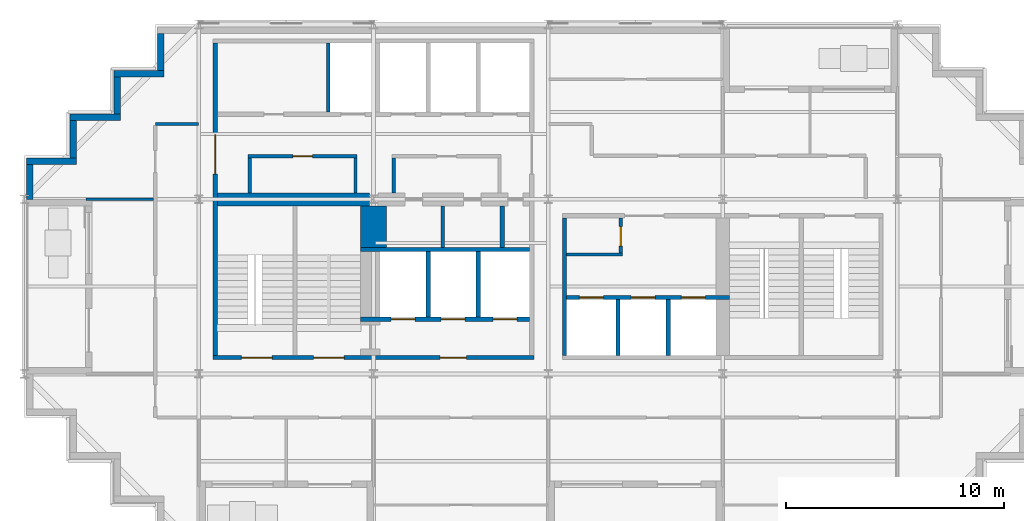
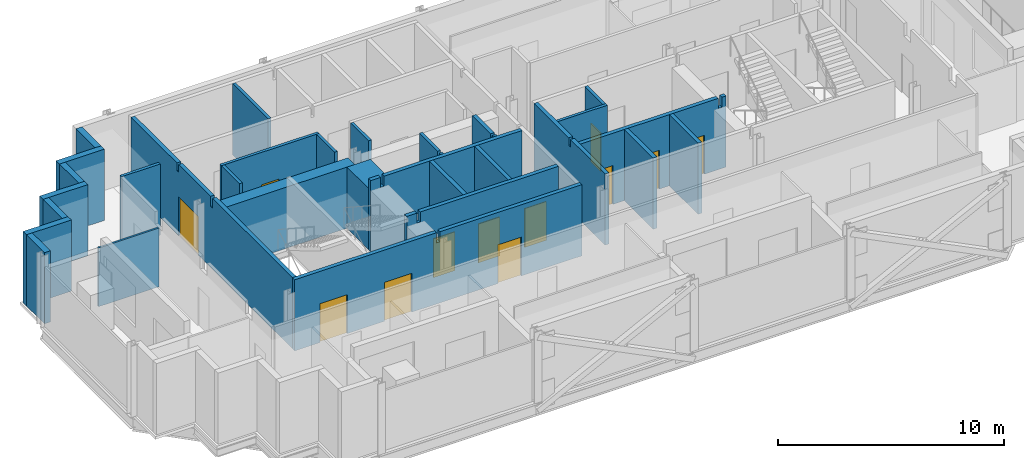
# One storey, part 5 of 10: 30 walls, 12 doors, 12 openings.
"""IFC4 building model written with IfcOpenShell, lengths in metres."""

from ifc_helpers import new_model, si_unit, direction, frame, frame_2d, origin, place, context, subcontext, project, spatial, polyline, rectangle, outline, extrude, material, layer, layer_set, type_object, element, fill, save


model = new_model("IFC4")

# Units and contexts
model_context = context("Model", 3, precision=1e-05, world=origin(), true_north=direction((0.0, 1.0)))
body_context = subcontext(model_context, "Body", "Model", "MODEL_VIEW")
ifc_project = project(units=[si_unit("LENGTHUNIT", "METRE"), si_unit("AREAUNIT", "SQUARE_METRE"), si_unit("VOLUMEUNIT", "CUBIC_METRE"), si_unit("PLANEANGLEUNIT", "RADIAN"), si_unit("MASSUNIT", "GRAM", prefix="KILO")], contexts=[model_context])

# Site, building, storey
site_placement = place(None, origin())
site = spatial("IfcSite", under=ifc_project, at=site_placement, CompositionType="ELEMENT")
building_placement = place(site_placement, origin())
building = spatial("IfcBuilding", under=site, at=building_placement, Name="Immortelle Media Tower", CompositionType="ELEMENT")
storey_placement = place(building_placement, frame((0.0, 0.0, 259.0)))
storey = spatial("IfcBuildingStorey", under=building, at=storey_placement, Name="L56", CompositionType="ELEMENT", Elevation=259.0)

# Wall
ifc_material_1 = material(Name="Fire-rated gypsum board", Category="gypsum")
ifc_layer_1 = layer(ifc_material_1, 0.02490234375)
ifc_material_2 = material(Name="Steel ASTM A653 SS Gr 50 stud frame with mineral wool", Category="steel")
ifc_layer_2 = layer(ifc_material_2, 0.10009765625)
ifc_layer_3 = layer(ifc_material_1, 0.02490234375)
ifc_layer_set_1 = layer_set([ifc_layer_1, ifc_layer_2, ifc_layer_3], Name="Steel ASTM A653 SS Gr 50 stud frame with mineral wool")
wall_type_1 = type_object("IfcWallType", Name="Core partition 150", PredefinedType="PARTITIONING", material=ifc_layer_set_1)
wall_1_placement = place(storey_placement, frame((10.324951171875, 16.300048828125, 0.0), z_axis=(0.0, 0.0, 1.0), x_axis=(0.0, 1.0, 0.0)))
element("IfcWall", 1, at=wall_1_placement, inside=storey, type_object=wall_type_1, Name="Core partition SW", PredefinedType="PARTITIONING", context=body_context, shape_type="SweptSolid", body=[
    extrude(rectangle(XDim=1.599853515625, YDim=0.14990234375, at=frame_2d((0.7998046875, 0.0))), origin(), (0.0, 0.0, 1.0), 3.85009765625),
])

# Wall, opening, door
wall_2_placement = place(storey_placement, frame((10.25, 17.97509765625, 0.0), z_axis=(0.0, 0.0, 1.0), x_axis=(1.0, 0.0, 0.0)))
wall_2 = element("IfcWall", 2, at=wall_2_placement, inside=storey, type_object=wall_type_1, Name="Core partition SW", PredefinedType="PARTITIONING", context=body_context, shape_type="SweptSolid", body=[
    extrude(rectangle(XDim=5.0, YDim=0.14990234375, at=frame_2d((2.5, 0.0))), origin(), (0.0, 0.0, 1.0), 3.85009765625),
])
opening_1_placement = place(wall_2_placement, frame((2.949951171875, 0.0, 0.0), z_axis=(0.0, 0.0, 1.0), x_axis=(-1.0, 0.0, 0.0)))
opening_1 = element("IfcOpeningElement", 3, at=opening_1_placement, cuts=wall_2, Name="Opening X2-K004", PredefinedType="OPENING", context=body_context, shape_type="SweptSolid", body=[
    extrude(rectangle(XDim=0.89990234375, YDim=2.10009765625, at=frame_2d((0.449951171875, 1.050048828125))), frame((0.0, 0.0849609375, 0.0), z_axis=(0.0, -1.0, 0.0), x_axis=(1.0, 0.0, 0.0)), (0.0, 0.0, 1.0), 0.169921875),
])
ifc_material_3 = material(Name="Timber", Category="wood")
door_type_1 = type_object("IfcDoorType", Name="Room door 900 x 2100", OperationType="NOTDEFINED", PredefinedType="NOTDEFINED", material=ifc_material_3)
door_1_placement = place(opening_1_placement, origin())
door_1 = element("IfcDoor", 4, at=door_1_placement, inside=storey, type_object=door_type_1, Name="Room X2-K004", OperationType="SINGLE_SWING_LEFT", OverallHeight=2.10009765625, OverallWidth=0.89990234375, PredefinedType="NOTDEFINED", context=body_context, shape_type="SweptSolid", body=[
    extrude(rectangle(XDim=0.89990234375, YDim=2.10009765625, at=frame_2d((0.449951171875, 1.050048828125))), frame((0.0, 0.02490234375, 0.0), z_axis=(0.0, -1.0, 0.0), x_axis=(1.0, 0.0, 0.0)), (0.0, 0.0, 1.0), 0.050048828125),
])
fill(opening_1, door_1)

# Walls
wall_3_placement = place(storey_placement, frame((13.925048828125, 20.0, 0.0), z_axis=(0.0, 0.0, 1.0), x_axis=(0.0, 1.0, 0.0)))
element("IfcWall", 5, at=wall_3_placement, inside=storey, type_object=wall_type_1, Name="Core partition SW", PredefinedType="PARTITIONING", context=body_context, shape_type="SweptSolid", body=[
    extrude(rectangle(XDim=3.14990234375, YDim=0.14990234375, at=frame_2d((1.574951171875, 0.0))), origin(), (0.0, 0.0, 1.0), 3.85009765625),
])
for number, where, z_axis, x_axis, name in (
    (6, (15.175048828125, 16.300048828125, 0.0), (0.0, 0.0, 1.0), (0.0, 1.0, 0.0), "Core partition SW"),
    (7, (16.925048828125, 16.300048828125, 0.0), (0.0, 0.0, 1.0), (0.0, 1.0, 0.0), "Core partition SW"),
):
    element("IfcWall", number, at=place(storey_placement, frame(where, z_axis=z_axis, x_axis=x_axis)), inside=storey, type_object=wall_type_1, Name=name, PredefinedType="PARTITIONING", context=body_context, shape_type="SweptSolid", body=[
        extrude(rectangle(XDim=1.599853515625, YDim=0.14990234375, at=frame_2d((0.7998046875, 0.0))), origin(), (0.0, 0.0, 1.0), 3.85009765625),
    ])
wall_4_placement = place(storey_placement, frame((19.175048828125, 13.800048828125, 0.0), z_axis=(0.0, 0.0, 1.0), x_axis=(0.0, 1.0, 0.0)))
element("IfcWall", 8, at=wall_4_placement, inside=storey, type_object=wall_type_1, Name="Core partition SW", PredefinedType="PARTITIONING", context=body_context, shape_type="SweptSolid", body=[
    extrude(outline(polyline([(0.0, 0.0), (1.89990234375, 0.0), (1.89990234375, 3.85009765625), (0.27490234375, 3.85009765625), (0.27392578125, 3.43994140625), (0.1259765625, 3.43994140625), (0.125, 3.85009765625), (0.0, 3.85009765625), (0.0, 0.0)])), frame((0.0, 0.074951171875, 0.0), z_axis=(0.0, -1.0, 0.0), x_axis=(1.0, 0.0, 0.0)), (0.0, 0.0, 1.0), 0.14990234375),
])
wall_5_placement = place(storey_placement, frame((24.85009765625, 13.47509765625, 0.0), z_axis=(0.0, 0.0, 1.0), x_axis=(1.0, 0.0, 0.0)))
element("IfcWall", 9, at=wall_5_placement, inside=storey, type_object=wall_type_1, Name="Core partition SE", PredefinedType="PARTITIONING", context=body_context, shape_type="SweptSolid", body=[
    extrude(rectangle(XDim=2.5498046875, YDim=0.14990234375, at=frame_2d((1.27490234375, 0.0))), origin(), (0.0, 0.0, 1.0), 3.85009765625),
])

# Wall, opening, door
wall_6_placement = place(storey_placement, frame((27.324951171875, 13.550048828125, 0.0), z_axis=(0.0, 0.0, 1.0), x_axis=(0.0, 1.0, 0.0)))
wall_6 = element("IfcWall", 10, at=wall_6_placement, inside=storey, type_object=wall_type_1, Name="Core partition SE", PredefinedType="PARTITIONING", context=body_context, shape_type="SweptSolid", body=[
    extrude(rectangle(XDim=1.599853515625, YDim=0.14990234375, at=frame_2d((0.7998046875, 0.0))), origin(), (0.0, 0.0, 1.0), 3.85009765625),
])
opening_2_placement = place(wall_6_placement, frame((0.300048828125, 0.0, 0.0)))
opening_2 = element("IfcOpeningElement", 11, at=opening_2_placement, cuts=wall_6, Name="Opening X2-K021", PredefinedType="OPENING", context=body_context, shape_type="SweptSolid", body=[
    extrude(rectangle(XDim=0.89990234375, YDim=2.10009765625, at=frame_2d((0.449951171875, 1.050048828125))), frame((0.0, 0.0849609375, 0.0), z_axis=(0.0, -1.0, 0.0), x_axis=(1.0, 0.0, 0.0)), (0.0, 0.0, 1.0), 0.169921875),
])
ifc_material_4 = material(Name="Galvanised steel door leaf and frame ASTM A653", Category="steel")
door_type_2 = type_object("IfcDoorType", Name="Service door 900 x 2100", OperationType="NOTDEFINED", PredefinedType="NOTDEFINED", material=ifc_material_4)
door_2_placement = place(opening_2_placement, origin())
door_2 = element("IfcDoor", 12, at=door_2_placement, inside=storey, type_object=door_type_2, Name="Service X2-K021", OperationType="SINGLE_SWING_LEFT", OverallHeight=2.10009765625, OverallWidth=0.89990234375, PredefinedType="NOTDEFINED", context=body_context, shape_type="SweptSolid", body=[
    extrude(rectangle(XDim=0.89990234375, YDim=2.10009765625, at=frame_2d((0.449951171875, 1.050048828125))), frame((0.0, 0.02490234375, 0.0), z_axis=(0.0, -1.0, 0.0), x_axis=(1.0, 0.0, 0.0)), (0.0, 0.0, 1.0), 0.050048828125),
])
fill(opening_2, door_2)

# Wall, openings, doors
ifc_layer_4 = layer(ifc_material_1, 0.03759765625)
ifc_layer_5 = layer(ifc_material_2, 0.125)
ifc_layer_6 = layer(ifc_material_1, 0.03759765625)
ifc_layer_set_2 = layer_set([ifc_layer_4, ifc_layer_5, ifc_layer_6], Name="Steel ASTM A653 SS Gr 50 stud frame with mineral wool")
wall_type_2 = type_object("IfcWallType", Name="Core shaft wall 200", PredefinedType="PARTITIONING", material=ifc_layer_set_2)
wall_7_placement = place(storey_placement, frame((15.39990234375, 10.5, 0.0), z_axis=(0.0, 0.0, 1.0), x_axis=(1.0, 0.0, 0.0)))
wall_7 = element("IfcWall", 13, at=wall_7_placement, inside=storey, type_object=wall_type_2, Name="Core shaft wall SW", PredefinedType="PARTITIONING", context=body_context, shape_type="SweptSolid", body=[
    extrude(outline(polyline([(0.0, 0.0), (7.75, 0.0), (7.75, 3.85009765625), (0.6884765625, 3.85009765625), (0.6875, 3.30810546875), (0.512451171875, 3.30810546875), (0.511474609375, 3.85009765625), (0.0, 3.85009765625), (0.0, 0.0)])), frame((0.0, 0.10009765625, 0.0), z_axis=(0.0, -1.0, 0.0), x_axis=(1.0, 0.0, 0.0)), (0.0, 0.0, 1.0), 0.199951171875),
])
opening_3_placement = place(wall_7_placement, frame((1.39990234375, 0.0, 0.0)))
opening_3 = element("IfcOpeningElement", 14, at=opening_3_placement, cuts=wall_7, Name="Opening LD", PredefinedType="OPENING", context=body_context, shape_type="SweptSolid", body=[
    extrude(rectangle(XDim=1.10009765625, YDim=2.10009765625, at=frame_2d((0.550048828125, 1.050048828125))), frame((0.0, 0.10986328125, 0.0), z_axis=(0.0, -1.0, 0.0), x_axis=(1.0, 0.0, 0.0)), (0.0, 0.0, 1.0), 0.219970703125),
])
opening_4_placement = place(wall_7_placement, frame((3.699951171875, 0.0, 0.0)))
opening_4 = element("IfcOpeningElement", 15, at=opening_4_placement, cuts=wall_7, Name="Opening LD", PredefinedType="OPENING", context=body_context, shape_type="SweptSolid", body=[
    extrude(rectangle(XDim=1.10009765625, YDim=2.10009765625, at=frame_2d((0.550048828125, 1.050048828125))), frame((0.0, 0.10986328125, 0.0), z_axis=(0.0, -1.0, 0.0), x_axis=(1.0, 0.0, 0.0)), (0.0, 0.0, 1.0), 0.219970703125),
])
opening_5_placement = place(wall_7_placement, frame((6.074951171875, 0.0, 0.0)))
opening_5 = element("IfcOpeningElement", 16, at=opening_5_placement, cuts=wall_7, Name="Opening LD", PredefinedType="OPENING", context=body_context, shape_type="SweptSolid", body=[
    extrude(rectangle(XDim=1.10009765625, YDim=2.10009765625, at=frame_2d((0.550048828125, 1.050048828125))), frame((0.0, 0.10986328125, 0.0), z_axis=(0.0, -1.0, 0.0), x_axis=(1.0, 0.0, 0.0)), (0.0, 0.0, 1.0), 0.219970703125),
])
ifc_material_5 = material(Name="Stainless steel AISI 304", Category="steel")
door_type_3 = type_object("IfcDoorType", Name="Landing door 1100 x 2100", OperationType="SLIDING_TO_LEFT", PredefinedType="NOTDEFINED", material=ifc_material_5)
door_3_placement = place(opening_3_placement, origin())
door_3 = element("IfcDoor", 17, at=door_3_placement, inside=storey, type_object=door_type_3, Name="Landing door FF1 L56", OperationType="SLIDING_TO_LEFT", OverallHeight=2.10009765625, OverallWidth=1.10009765625, PredefinedType="NOTDEFINED", context=body_context, shape_type="SweptSolid", body=[
    extrude(rectangle(XDim=1.10009765625, YDim=2.10009765625, at=frame_2d((0.550048828125, 1.050048828125))), frame((0.0, 0.02490234375, 0.0), z_axis=(0.0, -1.0, 0.0), x_axis=(1.0, 0.0, 0.0)), (0.0, 0.0, 1.0), 0.050048828125),
])
fill(opening_3, door_3)
door_4_placement = place(opening_4_placement, origin())
door_4 = element("IfcDoor", 18, at=door_4_placement, inside=storey, type_object=door_type_3, Name="Landing door FF2 L56", OperationType="SLIDING_TO_LEFT", OverallHeight=2.10009765625, OverallWidth=1.10009765625, PredefinedType="NOTDEFINED", context=body_context, shape_type="SweptSolid", body=[
    extrude(rectangle(XDim=1.10009765625, YDim=2.10009765625, at=frame_2d((0.550048828125, 1.050048828125))), frame((0.0, 0.02490234375, 0.0), z_axis=(0.0, -1.0, 0.0), x_axis=(1.0, 0.0, 0.0)), (0.0, 0.0, 1.0), 0.050048828125),
])
fill(opening_4, door_4)
door_5_placement = place(opening_5_placement, origin())
door_5 = element("IfcDoor", 19, at=door_5_placement, inside=storey, type_object=door_type_3, Name="Landing door FF3 L56", OperationType="SLIDING_TO_LEFT", OverallHeight=2.10009765625, OverallWidth=1.10009765625, PredefinedType="NOTDEFINED", context=body_context, shape_type="SweptSolid", body=[
    extrude(rectangle(XDim=1.10009765625, YDim=2.10009765625, at=frame_2d((0.550048828125, 1.050048828125))), frame((0.0, 0.02490234375, 0.0), z_axis=(0.0, -1.0, 0.0), x_axis=(1.0, 0.0, 0.0)), (0.0, 0.0, 1.0), 0.050048828125),
])
fill(opening_5, door_5)

# Walls
wall_8_placement = place(storey_placement, frame((15.39990234375, 13.699951171875, 0.0), z_axis=(0.0, 0.0, 1.0), x_axis=(1.0, 0.0, 0.0)))
element("IfcWall", 20, at=wall_8_placement, inside=storey, type_object=wall_type_2, Name="Core shaft wall SW", PredefinedType="PARTITIONING", context=body_context, shape_type="SweptSolid", body=[
    extrude(outline(polyline([(0.0, 0.0), (7.75, 0.0), (7.75, 3.85009765625), (0.6884765625, 3.85009765625), (0.6875, 3.30810546875), (0.512451171875, 3.30810546875), (0.511474609375, 3.85009765625), (0.0, 3.85009765625), (0.0, 0.0)])), frame((0.0, 0.10009765625, 0.0), z_axis=(0.0, -1.0, 0.0), x_axis=(1.0, 0.0, 0.0)), (0.0, 0.0, 1.0), 0.199951171875),
])
for number, where, z_axis, x_axis, name in (
    (21, (18.5, 10.60009765625, 0.0), (0.0, 0.0, 1.0), (0.0, 1.0, 0.0), "Core shaft wall SW"),
    (22, (20.800048828125, 10.60009765625, 0.0), (0.0, 0.0, 1.0), (0.0, 1.0, 0.0), "Core shaft wall SW"),
):
    element("IfcWall", number, at=place(storey_placement, frame(where, z_axis=z_axis, x_axis=x_axis)), inside=storey, type_object=wall_type_2, Name=name, PredefinedType="PARTITIONING", context=body_context, shape_type="SweptSolid", body=[
        extrude(rectangle(XDim=3.0, YDim=0.199951171875, at=frame_2d((1.5, 0.0))), origin(), (0.0, 0.0, 1.0), 3.85009765625),
    ])
wall_9_placement = place(storey_placement, frame((21.89990234375, 13.800048828125, 0.0), z_axis=(0.0, 0.0, 1.0), x_axis=(0.0, 1.0, 0.0)))
element("IfcWall", 23, at=wall_9_placement, inside=storey, type_object=wall_type_2, Name="Core shaft wall SW", PredefinedType="PARTITIONING", context=body_context, shape_type="SweptSolid", body=[
    extrude(outline(polyline([(0.0, 0.0), (1.89990234375, 0.0), (1.89990234375, 3.85009765625), (0.27490234375, 3.85009765625), (0.27392578125, 3.43994140625), (0.1259765625, 3.43994140625), (0.125, 3.85009765625), (0.0, 3.85009765625), (0.0, 0.0)])), frame((0.0, 0.10009765625, 0.0), z_axis=(0.0, -1.0, 0.0), x_axis=(1.0, 0.0, 0.0)), (0.0, 0.0, 1.0), 0.199951171875),
])
wall_10_placement = place(storey_placement, frame((24.75, 8.85009765625, 0.0), z_axis=(0.0, 0.0, 1.0), x_axis=(0.0, 1.0, 0.0)))
element("IfcWall", 24, at=wall_10_placement, inside=storey, type_object=wall_type_2, Name="Core shaft wall SE", PredefinedType="PARTITIONING", context=body_context, shape_type="SweptSolid", body=[
    extrude(outline(polyline([(0.0, 0.0), (6.2998046875, 0.0), (6.300048828125, 3.85009765625), (3.22509765625, 3.85009765625), (3.22412109375, 3.43994140625), (3.075927734375, 3.43994140625), (3.074951171875, 3.85009765625), (0.0, 3.85009765625), (0.0, 0.0)])), frame((0.0, 0.10009765625, 0.0), z_axis=(0.0, -1.0, 0.0), x_axis=(1.0, 0.0, 0.0)), (0.0, 0.0, 1.0), 0.199951171875),
])

# Wall, openings, doors
wall_11_placement = place(storey_placement, frame((24.85009765625, 11.5, 0.0), z_axis=(0.0, 0.0, 1.0), x_axis=(1.0, 0.0, 0.0)))
wall_11 = element("IfcWall", 25, at=wall_11_placement, inside=storey, type_object=wall_type_2, Name="Core shaft wall SE", PredefinedType="PARTITIONING", context=body_context, shape_type="SweptSolid", body=[
    extrude(outline(polyline([(0.0, 0.0), (7.449951171875, 0.0), (7.449951171875, 3.85009765625), (7.238525390625, 3.85009765625), (7.237548828125, 3.30810546875), (7.0625, 3.30810546875), (7.0615234375, 3.85009765625), (0.0, 3.85009765625), (0.0, 0.0)])), frame((0.0, 0.10009765625, 0.0), z_axis=(0.0, -1.0, 0.0), x_axis=(1.0, 0.0, 0.0)), (0.0, 0.0, 1.0), 0.199951171875),
])
opening_6_placement = place(wall_11_placement, frame((0.574951171875, 0.0, 0.0)))
opening_6 = element("IfcOpeningElement", 26, at=opening_6_placement, cuts=wall_11, Name="Opening LD", PredefinedType="OPENING", context=body_context, shape_type="SweptSolid", body=[
    extrude(rectangle(XDim=1.10009765625, YDim=2.10009765625, at=frame_2d((0.550048828125, 1.050048828125))), frame((0.0, 0.10986328125, 0.0), z_axis=(0.0, -1.0, 0.0), x_axis=(1.0, 0.0, 0.0)), (0.0, 0.0, 1.0), 0.219970703125),
])
opening_7_placement = place(wall_11_placement, frame((2.949951171875, 0.0, 0.0)))
opening_7 = element("IfcOpeningElement", 27, at=opening_7_placement, cuts=wall_11, Name="Opening LD", PredefinedType="OPENING", context=body_context, shape_type="SweptSolid", body=[
    extrude(rectangle(XDim=1.10009765625, YDim=2.10009765625, at=frame_2d((0.550048828125, 1.050048828125))), frame((0.0, 0.10986328125, 0.0), z_axis=(0.0, -1.0, 0.0), x_axis=(1.0, 0.0, 0.0)), (0.0, 0.0, 1.0), 0.219970703125),
])
opening_8_placement = place(wall_11_placement, frame((5.25, 0.0, 0.0)))
opening_8 = element("IfcOpeningElement", 28, at=opening_8_placement, cuts=wall_11, Name="Opening LD", PredefinedType="OPENING", context=body_context, shape_type="SweptSolid", body=[
    extrude(rectangle(XDim=1.10009765625, YDim=2.10009765625, at=frame_2d((0.550048828125, 1.050048828125))), frame((0.0, 0.10986328125, 0.0), z_axis=(0.0, -1.0, 0.0), x_axis=(1.0, 0.0, 0.0)), (0.0, 0.0, 1.0), 0.219970703125),
])
door_6_placement = place(opening_6_placement, origin())
door_6 = element("IfcDoor", 29, at=door_6_placement, inside=storey, type_object=door_type_3, Name="Landing door HS1 L56", OperationType="SLIDING_TO_LEFT", OverallHeight=2.10009765625, OverallWidth=1.10009765625, PredefinedType="NOTDEFINED", context=body_context, shape_type="SweptSolid", body=[
    extrude(rectangle(XDim=1.10009765625, YDim=2.10009765625, at=frame_2d((0.550048828125, 1.050048828125))), frame((0.0, 0.02490234375, 0.0), z_axis=(0.0, -1.0, 0.0), x_axis=(1.0, 0.0, 0.0)), (0.0, 0.0, 1.0), 0.050048828125),
])
fill(opening_6, door_6)
door_7_placement = place(opening_7_placement, origin())
door_7 = element("IfcDoor", 30, at=door_7_placement, inside=storey, type_object=door_type_3, Name="Landing door HS2 L56", OperationType="SLIDING_TO_LEFT", OverallHeight=2.10009765625, OverallWidth=1.10009765625, PredefinedType="NOTDEFINED", context=body_context, shape_type="SweptSolid", body=[
    extrude(rectangle(XDim=1.10009765625, YDim=2.10009765625, at=frame_2d((0.550048828125, 1.050048828125))), frame((0.0, 0.02490234375, 0.0), z_axis=(0.0, -1.0, 0.0), x_axis=(1.0, 0.0, 0.0)), (0.0, 0.0, 1.0), 0.050048828125),
])
fill(opening_7, door_7)
door_8_placement = place(opening_8_placement, origin())
door_8 = element("IfcDoor", 31, at=door_8_placement, inside=storey, type_object=door_type_3, Name="Landing door HS3 L56", OperationType="SLIDING_TO_LEFT", OverallHeight=2.10009765625, OverallWidth=1.10009765625, PredefinedType="NOTDEFINED", context=body_context, shape_type="SweptSolid", body=[
    extrude(rectangle(XDim=1.10009765625, YDim=2.10009765625, at=frame_2d((0.550048828125, 1.050048828125))), frame((0.0, 0.02490234375, 0.0), z_axis=(0.0, -1.0, 0.0), x_axis=(1.0, 0.0, 0.0)), (0.0, 0.0, 1.0), 0.050048828125),
])
fill(opening_8, door_8)

# Walls
for number, where, z_axis, x_axis, name in (
    (32, (27.199951171875, 8.85009765625, 0.0), (0.0, 0.0, 1.0), (0.0, 1.0, 0.0), "Core shaft wall SE"),
    (33, (29.5, 8.85009765625, 0.0), (0.0, 0.0, 1.0), (0.0, 1.0, 0.0), "Core shaft wall SE"),
):
    element("IfcWall", number, at=place(storey_placement, frame(where, z_axis=z_axis, x_axis=x_axis)), inside=storey, type_object=wall_type_2, Name=name, PredefinedType="PARTITIONING", context=body_context, shape_type="SweptSolid", body=[
        extrude(rectangle(XDim=2.5498046875, YDim=0.199951171875, at=frame_2d((1.27490234375, 0.0))), origin(), (0.0, 0.0, 1.0), 3.85009765625),
    ])
ifc_layer_7 = layer(ifc_material_1, 0.012451171875)
ifc_layer_8 = layer(ifc_material_2, 0.125)
ifc_layer_9 = layer(ifc_material_1, 0.012451171875)
ifc_layer_set_3 = layer_set([ifc_layer_7, ifc_layer_8, ifc_layer_9], Name="Steel ASTM A653 SS Gr 50 stud frame with mineral wool")
wall_type_3 = type_object("IfcWallType", Name="Corridor wall 150", PredefinedType="PARTITIONING", material=ifc_layer_set_3)
wall_12_placement = place(storey_placement, frame((6.0, 19.449951171875, 0.0), z_axis=(0.0, 0.0, 1.0), x_axis=(1.0, 0.0, 0.0)))
element("IfcWall", 34, at=wall_12_placement, inside=storey, type_object=wall_type_3, Name="Partition L56-025", PredefinedType="PARTITIONING", context=body_context, shape_type="SweptSolid", body=[
    extrude(rectangle(XDim=1.969970703125, YDim=0.14990234375, at=frame_2d((0.98486328125, 0.0))), origin(), (0.0, 0.0, 1.0), 3.85009765625),
])
ifc_material_6 = material(Name="Pale aluminium cladding panel", Category="aluminium")
ifc_layer_10 = layer(ifc_material_6, 0.030029296875)
ifc_layer_11 = layer(ifc_material_2, 0.257568359375)
ifc_material_7 = material(Name="Moisture-resistant gypsum board", Category="gypsum")
ifc_layer_12 = layer(ifc_material_7, 0.012451171875)
ifc_layer_set_4 = layer_set([ifc_layer_10, ifc_layer_11, ifc_layer_12], Name="Steel ASTM A653 SS Gr 50 stud frame with mineral wool")
wall_type_4 = type_object("IfcWallType", Name="Facade wall 300", PredefinedType="SOLIDWALL", material=ifc_layer_set_4)
wall_13_placement = place(storey_placement, frame((6.25, 23.60009765625, 0.0), z_axis=(0.0, 0.0, 1.0), x_axis=(0.0, -1.0, 0.0)))
element("IfcWall", 35, at=wall_13_placement, inside=storey, type_object=wall_type_4, Name="Facade wall L56 W21", PredefinedType="SOLIDWALL", context=body_context, shape_type="SweptSolid", body=[
    extrude(rectangle(XDim=1.7001953125, YDim=0.300048828125, at=frame_2d((0.85009765625, 0.0))), origin(), (0.0, 0.0, 1.0), 3.85009765625),
])
wall_14_placement = place(storey_placement, frame((6.39990234375, 21.75, 0.0), z_axis=(0.0, 0.0, 1.0), x_axis=(-1.0, 0.0, 0.0)))
element("IfcWall", 36, at=wall_14_placement, inside=storey, type_object=wall_type_4, Name="Facade wall L56 N22", PredefinedType="SOLIDWALL", context=body_context, shape_type="SweptSolid", body=[
    extrude(rectangle(XDim=2.2998046875, YDim=0.300048828125, at=frame_2d((1.14990234375, 0.0))), origin(), (0.0, 0.0, 1.0), 3.85009765625),
])
wall_15_placement = place(storey_placement, frame((4.25, 21.60009765625, 0.0), z_axis=(0.0, 0.0, 1.0), x_axis=(0.0, -1.0, 0.0)))
element("IfcWall", 37, at=wall_15_placement, inside=storey, type_object=wall_type_4, Name="Facade wall L56 W23", PredefinedType="SOLIDWALL", context=body_context, shape_type="SweptSolid", body=[
    extrude(rectangle(XDim=1.7001953125, YDim=0.300048828125, at=frame_2d((0.85009765625, 0.0))), origin(), (0.0, 0.0, 1.0), 3.85009765625),
])
wall_16_placement = place(storey_placement, frame((4.39990234375, 19.75, 0.0), z_axis=(0.0, 0.0, 1.0), x_axis=(-1.0, 0.0, 0.0)))
element("IfcWall", 38, at=wall_16_placement, inside=storey, type_object=wall_type_4, Name="Facade wall L56 N24", PredefinedType="SOLIDWALL", context=body_context, shape_type="SweptSolid", body=[
    extrude(rectangle(XDim=2.2998046875, YDim=0.300048828125, at=frame_2d((1.14990234375, 0.0))), origin(), (0.0, 0.0, 1.0), 3.85009765625),
])
wall_17_placement = place(storey_placement, frame((2.25, 19.60009765625, 0.0), z_axis=(0.0, 0.0, 1.0), x_axis=(0.0, -1.0, 0.0)))
element("IfcWall", 39, at=wall_17_placement, inside=storey, type_object=wall_type_4, Name="Facade wall L56 W25", PredefinedType="SOLIDWALL", context=body_context, shape_type="SweptSolid", body=[
    extrude(rectangle(XDim=1.7001953125, YDim=0.300048828125, at=frame_2d((0.85009765625, 0.0))), origin(), (0.0, 0.0, 1.0), 3.85009765625),
])
wall_18_placement = place(storey_placement, frame((2.39990234375, 17.75, 0.0), z_axis=(0.0, 0.0, 1.0), x_axis=(-1.0, 0.0, 0.0)))
element("IfcWall", 40, at=wall_18_placement, inside=storey, type_object=wall_type_4, Name="Facade wall L56 N26", PredefinedType="SOLIDWALL", context=body_context, shape_type="SweptSolid", body=[
    extrude(rectangle(XDim=2.2998046875, YDim=0.300048828125, at=frame_2d((1.14990234375, 0.0))), origin(), (0.0, 0.0, 1.0), 3.85009765625),
])
wall_19_placement = place(storey_placement, frame((0.25, 17.60009765625, 0.0), z_axis=(0.0, 0.0, 1.0), x_axis=(0.0, -1.0, 0.0)))
element("IfcWall", 41, at=wall_19_placement, inside=storey, type_object=wall_type_4, Name="Facade wall L56 W27", PredefinedType="SOLIDWALL", context=body_context, shape_type="SweptSolid", body=[
    extrude(rectangle(XDim=1.60009765625, YDim=0.300048828125, at=frame_2d((0.800048828125, 0.0))), origin(), (0.0, 0.0, 1.0), 3.85009765625),
])
ifc_material_8 = material(Name="Gypsum board", Category="gypsum")
ifc_layer_13 = layer(ifc_material_8, 0.012451171875)
ifc_layer_14 = layer(ifc_material_2, 0.074951171875)
ifc_layer_15 = layer(ifc_material_8, 0.012451171875)
ifc_layer_set_5 = layer_set([ifc_layer_13, ifc_layer_14, ifc_layer_15], Name="Steel ASTM A653 SS Gr 50 stud frame with mineral wool")
wall_type_5 = type_object("IfcWallType", Name="Partition 100", PredefinedType="PARTITIONING", material=ifc_layer_set_5)
wall_20_placement = place(storey_placement, frame((2.830078125, 16.0, 0.0), z_axis=(0.0, 0.0, 1.0), x_axis=(1.0, 0.0, 0.0)))
element("IfcWall", 42, at=wall_20_placement, inside=storey, type_object=wall_type_5, Name="Partition L56-015", PredefinedType="PARTITIONING", context=body_context, shape_type="SweptSolid", body=[
    extrude(rectangle(XDim=3.094970703125, YDim=0.10009765625, at=frame_2d((1.54736328125, 0.0))), origin(), (0.0, 0.0, 1.0), 3.172119140625),
])
ifc_material_9 = material(Name="Concrete C60", Category="concrete")
ifc_layer_16 = layer(ifc_material_9, 1.199951171875)
ifc_layer_set_6 = layer_set([ifc_layer_16], Name="Concrete C60")
wall_type_6 = type_object("IfcWallType", Name="Stair shaft wall 1200", PredefinedType="PARTITIONING", material=ifc_layer_set_6)
wall_21_placement = place(storey_placement, frame((16.0, 13.800048828125, 0.0), z_axis=(0.0, 0.0, 1.0), x_axis=(0.0, 1.0, 0.0)))
element("IfcWall", 43, at=wall_21_placement, inside=storey, type_object=wall_type_6, Name="Stair shaft wall SW", PredefinedType="PARTITIONING", context=body_context, shape_type="SweptSolid", body=[
    extrude(rectangle(XDim=1.89990234375, YDim=1.199951171875, at=frame_2d((0.949951171875, 0.0))), origin(), (0.0, 0.0, 1.0), 3.30810546875),
])

# Wall, openings, doors
ifc_layer_17 = layer(ifc_material_9, 0.199951171875)
ifc_layer_set_7 = layer_set([ifc_layer_17], Name="Concrete C60")
wall_type_7 = type_object("IfcWallType", Name="Stair shaft wall 200", PredefinedType="PARTITIONING", material=ifc_layer_set_7)
wall_22_placement = place(storey_placement, frame((8.64990234375, 8.75, 0.0), z_axis=(0.0, 0.0, 1.0), x_axis=(1.0, 0.0, 0.0)))
wall_22 = element("IfcWall", 44, at=wall_22_placement, inside=storey, type_object=wall_type_7, Name="Stair shaft wall SW", PredefinedType="PARTITIONING", context=body_context, shape_type="SweptSolid", body=[
    extrude(outline(polyline([(0.0, 0.0), (14.7001953125, 0.0), (14.699951171875, 3.85009765625), (7.4384765625, 3.85009765625), (7.4375, 3.30810546875), (7.262451171875, 3.30810546875), (7.261474609375, 3.85009765625), (0.0, 3.85009765625), (0.0, 0.0)])), frame((0.0, 0.10009765625, 0.0), z_axis=(0.0, -1.0, 0.0), x_axis=(1.0, 0.0, 0.0)), (0.0, 0.0, 1.0), 0.199951171875),
])
opening_9_placement = place(wall_22_placement, frame((1.300048828125, 0.0, 0.0)))
opening_9 = element("IfcOpeningElement", 45, at=opening_9_placement, cuts=wall_22, Name="Opening X2-K002", PredefinedType="OPENING", context=body_context, shape_type="SweptSolid", body=[
    extrude(rectangle(XDim=1.39990234375, YDim=2.10009765625, at=frame_2d((0.699951171875, 1.050048828125))), frame((0.0, 0.10986328125, 0.0), z_axis=(0.0, -1.0, 0.0), x_axis=(1.0, 0.0, 0.0)), (0.0, 0.0, 1.0), 0.219970703125),
])
opening_10_placement = place(wall_22_placement, frame((4.60009765625, 0.0, 0.0)))
opening_10 = element("IfcOpeningElement", 46, at=opening_10_placement, cuts=wall_22, Name="Opening X2-K005", PredefinedType="OPENING", context=body_context, shape_type="SweptSolid", body=[
    extrude(rectangle(XDim=1.39990234375, YDim=2.10009765625, at=frame_2d((0.699951171875, 1.050048828125))), frame((0.0, 0.10986328125, 0.0), z_axis=(0.0, -1.0, 0.0), x_axis=(1.0, 0.0, 0.0)), (0.0, 0.0, 1.0), 0.219970703125),
])
opening_11_placement = place(wall_22_placement, frame((10.39990234375, 0.0, 0.0)))
opening_11 = element("IfcOpeningElement", 47, at=opening_11_placement, cuts=wall_22, Name="Opening X2-K012", PredefinedType="OPENING", context=body_context, shape_type="SweptSolid", body=[
    extrude(rectangle(XDim=1.199951171875, YDim=2.10009765625, at=frame_2d((0.60009765625, 1.050048828125))), frame((0.0, 0.10986328125, 0.0), z_axis=(0.0, -1.0, 0.0), x_axis=(1.0, 0.0, 0.0)), (0.0, 0.0, 1.0), 0.219970703125),
])
door_type_4 = type_object("IfcDoorType", Name="Fire-fighting lobby door 1200 x 2100", OperationType="NOTDEFINED", PredefinedType="NOTDEFINED", material=ifc_material_4)
door_9_placement = place(opening_11_placement, origin())
door_9 = element("IfcDoor", 48, at=door_9_placement, inside=storey, type_object=door_type_4, Name="Fire-fighting lobby X2-K012", OperationType="SINGLE_SWING_LEFT", OverallHeight=2.10009765625, OverallWidth=1.199951171875, PredefinedType="NOTDEFINED", context=body_context, shape_type="SweptSolid", body=[
    extrude(rectangle(XDim=1.199951171875, YDim=2.10009765625, at=frame_2d((0.60009765625, 1.050048828125))), frame((0.0, 0.02490234375, 0.0), z_axis=(0.0, -1.0, 0.0), x_axis=(1.0, 0.0, 0.0)), (0.0, 0.0, 1.0), 0.050048828125),
])
fill(opening_11, door_9)
door_type_5 = type_object("IfcDoorType", Name="Stair door 1400 x 2100", OperationType="DOUBLE_DOOR_SINGLE_SWING", PredefinedType="NOTDEFINED", material=ifc_material_4)
door_10_placement = place(opening_9_placement, origin())
door_10 = element("IfcDoor", 49, at=door_10_placement, inside=storey, type_object=door_type_5, Name="Stair X2-K002", OperationType="DOUBLE_DOOR_SINGLE_SWING", OverallHeight=2.10009765625, OverallWidth=1.39990234375, PredefinedType="NOTDEFINED", context=body_context, shape_type="SweptSolid", body=[
    extrude(rectangle(XDim=1.39990234375, YDim=2.10009765625, at=frame_2d((0.699951171875, 1.050048828125))), frame((0.0, 0.02490234375, 0.0), z_axis=(0.0, -1.0, 0.0), x_axis=(1.0, 0.0, 0.0)), (0.0, 0.0, 1.0), 0.050048828125),
])
fill(opening_9, door_10)
door_11_placement = place(opening_10_placement, origin())
door_11 = element("IfcDoor", 50, at=door_11_placement, inside=storey, type_object=door_type_5, Name="Stair X2-K005", OperationType="DOUBLE_DOOR_SINGLE_SWING", OverallHeight=2.10009765625, OverallWidth=1.39990234375, PredefinedType="NOTDEFINED", context=body_context, shape_type="SweptSolid", body=[
    extrude(rectangle(XDim=1.39990234375, YDim=2.10009765625, at=frame_2d((0.699951171875, 1.050048828125))), frame((0.0, 0.02490234375, 0.0), z_axis=(0.0, -1.0, 0.0), x_axis=(1.0, 0.0, 0.0)), (0.0, 0.0, 1.0), 0.050048828125),
])
fill(opening_10, door_11)

# Wall, opening, door
wall_23_placement = place(storey_placement, frame((8.75, 8.85009765625, 0.0), z_axis=(0.0, 0.0, 1.0), x_axis=(0.0, 1.0, 0.0)))
wall_23 = element("IfcWall", 51, at=wall_23_placement, inside=storey, type_object=wall_type_7, Name="Stair shaft wall SW", PredefinedType="PARTITIONING", context=body_context, shape_type="SweptSolid", body=[
    extrude(outline(polyline([(0.0, 0.0), (14.2998046875, 0.0), (14.300048828125, 3.85009765625), (10.22509765625, 3.85009765625), (10.22412109375, 3.43994140625), (10.075927734375, 3.43994140625), (10.074951171875, 3.85009765625), (7.238525390625, 3.85009765625), (7.237548828125, 3.30810546875), (7.0625, 3.30810546875), (7.0615234375, 3.85009765625), (0.0, 3.85009765625), (0.0, 0.0)])), frame((0.0, 0.10009765625, 0.0), z_axis=(0.0, -1.0, 0.0), x_axis=(1.0, 0.0, 0.0)), (0.0, 0.0, 1.0), 0.199951171875),
])
opening_12_placement = place(wall_23_placement, frame((8.300048828125, 0.0, 0.0)))
opening_12 = element("IfcOpeningElement", 52, at=opening_12_placement, cuts=wall_23, Name="Opening X2-K001", PredefinedType="OPENING", context=body_context, shape_type="SweptSolid", body=[
    extrude(rectangle(XDim=1.800048828125, YDim=2.10009765625, at=frame_2d((0.89990234375, 1.050048828125))), frame((0.0, 0.10986328125, 0.0), z_axis=(0.0, -1.0, 0.0), x_axis=(1.0, 0.0, 0.0)), (0.0, 0.0, 1.0), 0.219970703125),
])
door_type_6 = type_object("IfcDoorType", Name="Lift lobby door 1800 x 2100", OperationType="DOUBLE_DOOR_SINGLE_SWING", PredefinedType="NOTDEFINED", material=ifc_material_4)
door_12_placement = place(opening_12_placement, origin())
door_12 = element("IfcDoor", 53, at=door_12_placement, inside=storey, type_object=door_type_6, Name="Lift lobby X2-K001", OperationType="DOUBLE_DOOR_SINGLE_SWING", OverallHeight=2.10009765625, OverallWidth=1.800048828125, PredefinedType="NOTDEFINED", context=body_context, shape_type="SweptSolid", body=[
    extrude(rectangle(XDim=1.800048828125, YDim=2.10009765625, at=frame_2d((0.89990234375, 1.050048828125))), frame((0.0, 0.02490234375, 0.0), z_axis=(0.0, -1.0, 0.0), x_axis=(1.0, 0.0, 0.0)), (0.0, 0.0, 1.0), 0.050048828125),
])
fill(opening_12, door_12)

# Wall
ifc_layer_18 = layer(ifc_material_9, 0.60009765625)
ifc_layer_set_8 = layer_set([ifc_layer_18], Name="Concrete C60")
wall_type_8 = type_object("IfcWallType", Name="Stair shaft wall 600", PredefinedType="PARTITIONING", material=ifc_layer_set_8)
wall_24_placement = place(storey_placement, frame((8.85009765625, 16.0, 0.0), z_axis=(0.0, 0.0, 1.0), x_axis=(1.0, 0.0, 0.0)))
element("IfcWall", 54, at=wall_24_placement, inside=storey, type_object=wall_type_8, Name="Stair shaft wall SW", PredefinedType="PARTITIONING", context=body_context, shape_type="SweptSolid", body=[
    extrude(rectangle(XDim=6.954345703125, YDim=0.60009765625, at=frame_2d((3.47705078125, 0.0))), origin(), (0.0, 0.0, 1.0), 3.30810546875),
])

save(model, "model.ifc")
